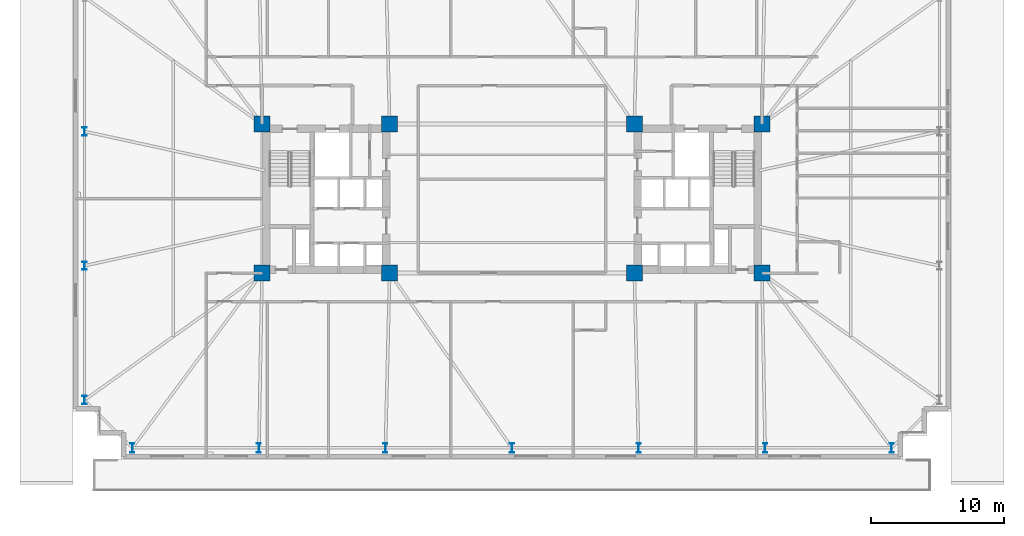
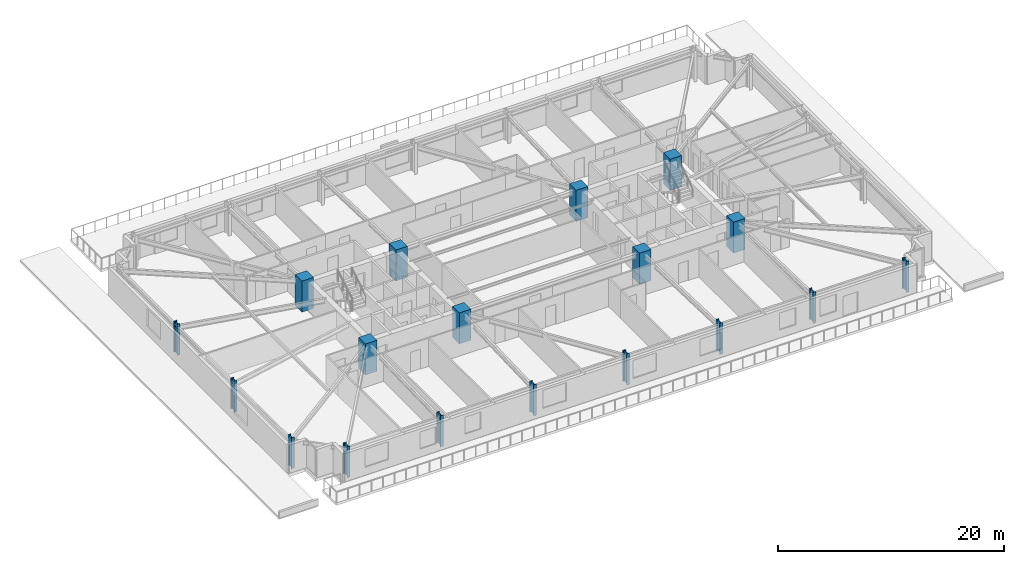
# One storey, part 1 of 21: 18 columns.
"""IFC4 building model written with IfcOpenShell, lengths in metres."""

from ifc_helpers import new_model, si_unit, direction, frame, origin, origin_2d, place, context, subcontext, project, spatial, rectangle, i_section, extrude, material, material_profile, profile_set, type_object, element, save


model = new_model("IFC4")

# Units and contexts
model_context = context("Model", 3, precision=1e-05, world=origin(), true_north=direction((0.0, 1.0)))
body_context = subcontext(model_context, "Body", "Model", "MODEL_VIEW")
ifc_project = project(units=[si_unit("LENGTHUNIT", "METRE"), si_unit("AREAUNIT", "SQUARE_METRE"), si_unit("VOLUMEUNIT", "CUBIC_METRE"), si_unit("PLANEANGLEUNIT", "RADIAN"), si_unit("MASSUNIT", "GRAM", prefix="KILO")], contexts=[model_context])

# Site, building, storey
site_placement = place(None, origin())
site = spatial("IfcSite", under=ifc_project, at=site_placement, CompositionType="ELEMENT")
building_placement = place(site_placement, origin())
building = spatial("IfcBuilding", under=site, at=building_placement, Name="Qobustan Lattice House", CompositionType="ELEMENT")
storey_placement = place(building_placement, frame((0.0, 0.0, 27.0)))
storey = spatial("IfcBuildingStorey", under=building, at=storey_placement, Name="L06", CompositionType="ELEMENT", Elevation=27.0)

# Columns
ifc_material_1 = material(Name="Concrete C60/75", Category="concrete")
ifc_material_profile_1 = material_profile(ifc_material_1, rectangle(XDim=1.199951171875, YDim=1.199951171875, at=origin_2d()), Name="RC1200x1200")
ifc_profile_set_1 = profile_set([ifc_material_profile_1], Name="Concrete C60/75")
column_type_1 = type_object("IfcColumnType", Name="COL-RC-1200", PredefinedType="COLUMN", material=ifc_profile_set_1)
for number, where, z_axis, x_axis, name in (
    (1, (-18.800048828125, -5.60009765625, 0.0), (0.0, 0.0, 1.0), (1.0, 0.0, 0.0), "L06 core mega-column CW-SW"),
    (2, (-18.800048828125, 5.60009765625, 0.0), (0.0, 0.0, 1.0), (1.0, 0.0, 0.0), "L06 core mega-column CW-NW"),
    (3, (-9.199951171875, -5.60009765625, 0.0), (0.0, 0.0, 1.0), (1.0, 0.0, 0.0), "L06 core mega-column CW-SE"),
    (4, (-9.199951171875, 5.60009765625, 0.0), (0.0, 0.0, 1.0), (1.0, 0.0, 0.0), "L06 core mega-column CW-NE"),
    (5, (9.199951171875, -5.60009765625, 0.0), (0.0, 0.0, 1.0), (1.0, 0.0, 0.0), "L06 core mega-column CE-SW"),
    (6, (9.199951171875, 5.60009765625, 0.0), (0.0, 0.0, 1.0), (1.0, 0.0, 0.0), "L06 core mega-column CE-NW"),
    (7, (18.800048828125, -5.60009765625, 0.0), (0.0, 0.0, 1.0), (1.0, 0.0, 0.0), "L06 core mega-column CE-SE"),
    (8, (18.800048828125, 5.60009765625, 0.0), (0.0, 0.0, 1.0), (1.0, 0.0, 0.0), "L06 core mega-column CE-NE"),
):
    element("IfcColumn", number, at=place(storey_placement, frame(where, z_axis=z_axis, x_axis=x_axis)), inside=storey, type_object=column_type_1, Name=name, PredefinedType="COLUMN", context=body_context, shape_type="SweptSolid", body=[
        extrude(rectangle(XDim=1.199951171875, YDim=1.199951171875, at=origin_2d()), origin(), (0.0, 0.0, 1.0), 3.35009765625),
    ])
ifc_material_2 = material(Name="Steel S460", Category="steel")
ifc_material_profile_2 = material_profile(ifc_material_2, i_section(OverallWidth=0.304931640625, OverallDepth=0.6201171875, WebThickness=0.02099609375, FlangeThickness=0.0400390625, FilletRadius=0.027099609375, at=origin_2d()), Name="HEM600")
ifc_profile_set_2 = profile_set([ifc_material_profile_2], Name="Steel S460")
column_type_2 = type_object("IfcColumnType", Name="COL-ST-HEM600", PredefinedType="COLUMN", material=ifc_profile_set_2)
for number, where, z_axis, x_axis, name in (
    (9, (-32.14990234375, 5.050048828125, 0.0), (0.0, 0.0, 1.0), (1.0, 0.0, 0.0), "L06 B1 perimeter column W2"),
    (10, (-32.14990234375, -5.050048828125, 0.0), (0.0, 0.0, 1.0), (1.0, 0.0, 0.0), "L06 B1 perimeter column W3"),
    (11, (-32.14990234375, -15.14990234375, 0.0), (0.0, 0.0, 1.0), (1.0, 0.0, 0.0), "L06 B1 perimeter column W4"),
):
    element("IfcColumn", number, at=place(storey_placement, frame(where, z_axis=z_axis, x_axis=x_axis)), inside=storey, type_object=column_type_2, Name=name, PredefinedType="COLUMN", context=body_context, shape_type="SweptSolid", body=[
        extrude(i_section(OverallWidth=0.304931640625, OverallDepth=0.6201171875, WebThickness=0.02099609375, FlangeThickness=0.0400390625, FilletRadius=0.027099609375, at=origin_2d()), origin(), (0.0, 0.0, 1.0), 3.35009765625),
    ])
ifc_material_3 = material(Name="Steel S460", Category="steel")
ifc_material_profile_3 = material_profile(ifc_material_3, i_section(OverallWidth=0.303955078125, OverallDepth=0.716064453125, WebThickness=0.02099609375, FlangeThickness=0.0400390625, FilletRadius=0.027099609375, at=origin_2d()), Name="HEM700")
ifc_profile_set_3 = profile_set([ifc_material_profile_3], Name="Steel S460")
column_type_3 = type_object("IfcColumnType", Name="COL-ST-HEM700", PredefinedType="COLUMN", material=ifc_profile_set_3)
for number, where, z_axis, x_axis, name in (
    (12, (-28.550048828125, -18.75, 0.0), (0.0, 0.0, 1.0), (1.0, 0.0, 0.0), "L06 B1 perimeter column S1"),
    (13, (-19.033203125, -18.75, 0.0), (0.0, 0.0, 1.0), (1.0, 0.0, 0.0), "L06 B1 perimeter column S2"),
    (14, (-9.5166015625, -18.75, 0.0), (0.0, 0.0, 1.0), (1.0, 0.0, 0.0), "L06 B1 perimeter column S3"),
    (15, (0.0, -18.75, 0.0), (0.0, 0.0, 1.0), (1.0, 0.0, 0.0), "L06 B1 perimeter column S4"),
    (16, (9.5166015625, -18.75, 0.0), (0.0, 0.0, 1.0), (1.0, 0.0, 0.0), "L06 B1 perimeter column S5"),
    (17, (19.033203125, -18.75, 0.0), (0.0, 0.0, 1.0), (1.0, 0.0, 0.0), "L06 B1 perimeter column S6"),
    (18, (28.550048828125, -18.75, 0.0), (0.0, 0.0, 1.0), (1.0, 0.0, 0.0), "L06 B1 perimeter column S7"),
):
    element("IfcColumn", number, at=place(storey_placement, frame(where, z_axis=z_axis, x_axis=x_axis)), inside=storey, type_object=column_type_3, Name=name, PredefinedType="COLUMN", context=body_context, shape_type="SweptSolid", body=[
        extrude(i_section(OverallWidth=0.303955078125, OverallDepth=0.716064453125, WebThickness=0.02099609375, FlangeThickness=0.0400390625, FilletRadius=0.027099609375, at=origin_2d()), origin(), (0.0, 0.0, 1.0), 3.35009765625),
    ])

save(model, "model.ifc")
